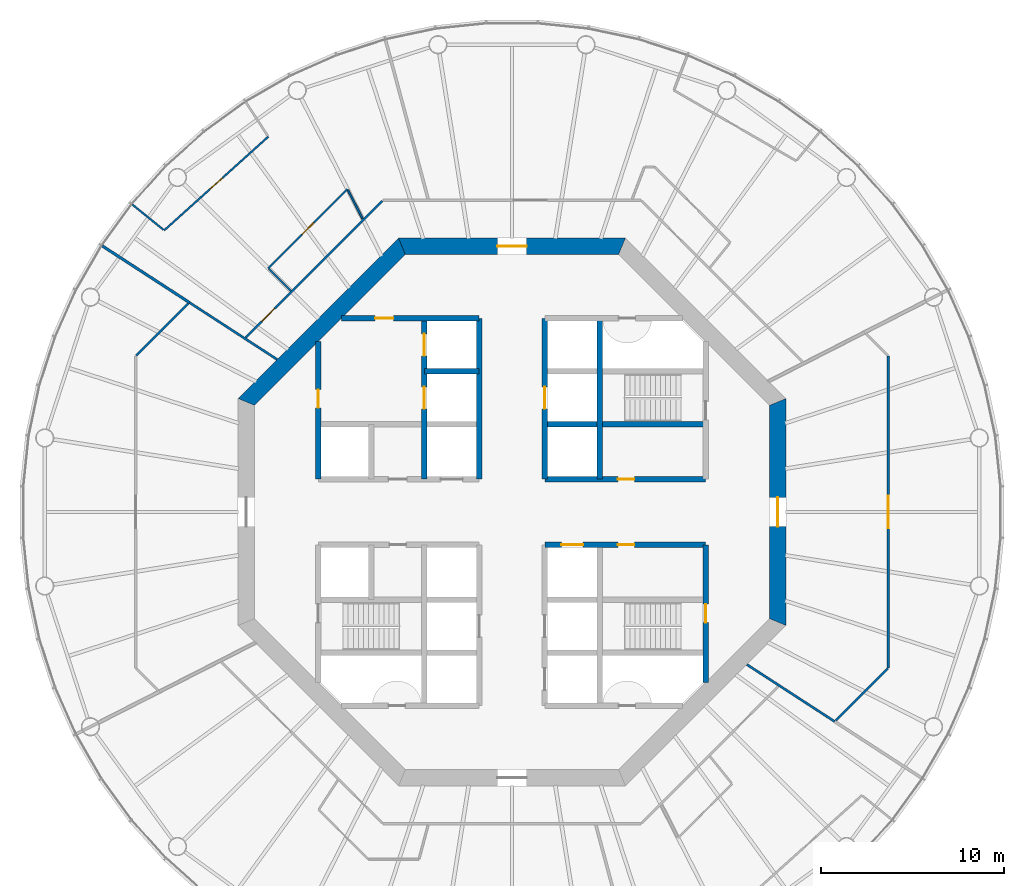
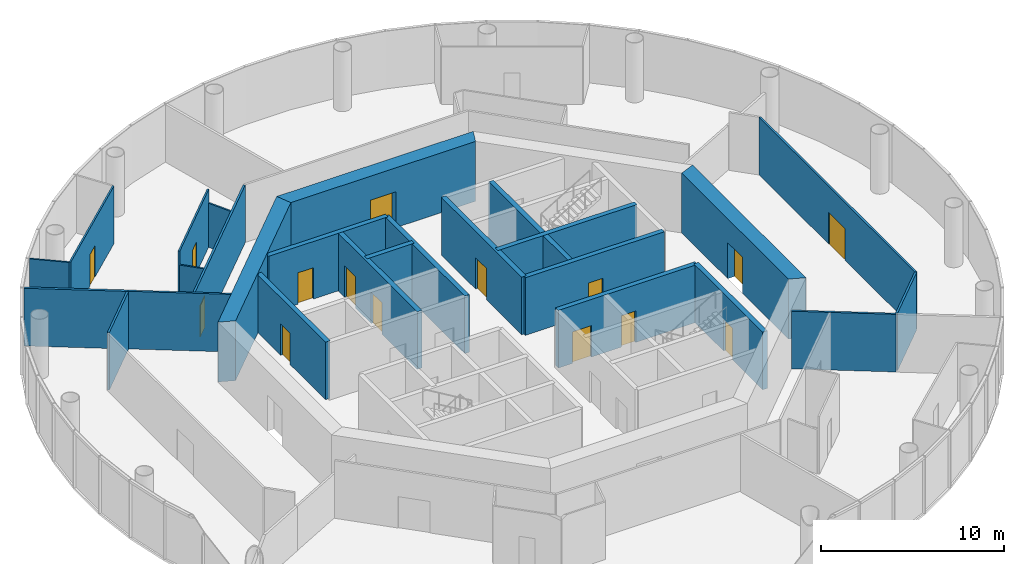
# One storey, part 4 of 12: 26 walls, 15 doors, 15 openings.
"""IFC4 building model written with IfcOpenShell, lengths in metres."""

from ifc_helpers import new_model, si_unit, direction, frame, frame_2d, origin, place, context, subcontext, project, spatial, polyline, rectangle, outline, extrude, material, layer, layer_set, type_object, element, fill, save


model = new_model("IFC4")

# Units and contexts
model_context = context("Model", 3, precision=1e-05, world=origin(), true_north=direction((0.0, 1.0)))
body_context = subcontext(model_context, "Body", "Model", "MODEL_VIEW")
ifc_project = project(units=[si_unit("LENGTHUNIT", "METRE"), si_unit("AREAUNIT", "SQUARE_METRE"), si_unit("VOLUMEUNIT", "CUBIC_METRE"), si_unit("PLANEANGLEUNIT", "RADIAN"), si_unit("MASSUNIT", "GRAM", prefix="KILO")], contexts=[model_context])

# Site, building, storey
site_placement = place(None, origin())
site = spatial("IfcSite", under=ifc_project, at=site_placement, CompositionType="ELEMENT")
building_placement = place(site_placement, origin())
building = spatial("IfcBuilding", under=site, at=building_placement, Name="Entoto Ring Tower", CompositionType="ELEMENT")
storey_placement = place(building_placement, frame((0.0, 0.0, 222.0)))
storey = spatial("IfcBuildingStorey", under=building, at=storey_placement, Name="L51", CompositionType="ELEMENT", Elevation=222.0)

# Wall, opening, door
ifc_material_1 = material(Name="Concrete C40/50", Category="concrete")
ifc_layer_1 = layer(ifc_material_1, 0.300048828125)
ifc_layer_set_1 = layer_set([ifc_layer_1], Name="Concrete C40/50")
wall_type_1 = type_object("IfcWallType", Name="Core enclosure wall 300 mm reinforced concrete", PredefinedType="SOLIDWALL", material=ifc_layer_set_1)
wall_1_placement = place(storey_placement, frame((100.60009765625, 70.65966796875, 0.0), z_axis=(0.0, 0.0, 1.0), x_axis=(0.0, 1.0, 0.0)))
wall_1 = element("IfcWall", 1, at=wall_1_placement, inside=storey, type_object=wall_type_1, Name="wall-L51-001", PredefinedType="SOLIDWALL", context=body_context, shape_type="SweptSolid", body=[
    extrude(rectangle(XDim=7.540283203125, YDim=0.300048828125, at=frame_2d((3.77001953125, 0.0))), origin(), (0.0, 0.0, 1.0), 3.85009765625),
])
opening_1_placement = place(wall_1_placement, frame((3.290283203125, 0.0, 0.0)))
opening_1 = element("IfcOpeningElement", 2, at=opening_1_placement, cuts=wall_1, Name="Opening K-17", PredefinedType="OPENING", context=body_context, shape_type="SweptSolid", body=[
    extrude(rectangle(XDim=1.0, YDim=2.10009765625, at=frame_2d((0.5, 1.050048828125))), frame((0.0, 0.16015625, 0.0), z_axis=(0.0, -1.0, 0.0), x_axis=(1.0, 0.0, 0.0)), (0.0, 0.0, 1.0), 0.320068359375),
])
ifc_material_2 = material(Name="Steel door leaf, fire rated", Category="steel")
ifc_layer_2 = layer(ifc_material_2, 0.050048828125)
ifc_layer_set_2 = layer_set([ifc_layer_2], Name="Steel door leaf, fire rated")
door_type_1 = type_object("IfcDoorType", Name="Fire door FD60 1000 x 2100 single leaf", OperationType="NOTDEFINED", PredefinedType="DOOR", material=ifc_layer_set_2)
door_1_placement = place(opening_1_placement, origin())
door_1 = element("IfcDoor", 3, at=door_1_placement, inside=storey, type_object=door_type_1, Name="Door K-17", OperationType="SINGLE_SWING_RIGHT", OverallHeight=2.10009765625, OverallWidth=1.0, PredefinedType="DOOR", context=body_context, shape_type="SweptSolid", body=[
    extrude(rectangle(XDim=1.0, YDim=2.10009765625, at=frame_2d((0.5, 1.050048828125))), frame((0.0, 0.02490234375, 0.0), z_axis=(0.0, -1.0, 0.0), x_axis=(1.0, 0.0, 0.0)), (0.0, 0.0, 1.0), 0.050048828125),
])
fill(opening_1, door_1)

# Wall
wall_2_placement = place(storey_placement, frame((94.800048828125, 81.800048828125, 0.0), z_axis=(0.0, 0.0, 1.0), x_axis=(0.0, 1.0, 0.0)))
element("IfcWall", 4, at=wall_2_placement, inside=storey, type_object=wall_type_1, Name="wall-L51-004", PredefinedType="SOLIDWALL", context=body_context, shape_type="SweptSolid", body=[
    extrude(rectangle(XDim=8.800048828125, YDim=0.300048828125, at=frame_2d((4.39990234375, 0.0))), origin(), (0.0, 0.0, 1.0), 3.85009765625),
])

# Wall, opening, door
wall_3_placement = place(storey_placement, frame((91.800048828125, 81.800048828125, 0.0), z_axis=(0.0, 0.0, 1.0), x_axis=(0.0, 1.0, 0.0)))
wall_3 = element("IfcWall", 5, at=wall_3_placement, inside=storey, type_object=wall_type_1, Name="wall-L51-006", PredefinedType="SOLIDWALL", context=body_context, shape_type="SweptSolid", body=[
    extrude(rectangle(XDim=8.800048828125, YDim=0.300048828125, at=frame_2d((4.39990234375, 0.0))), origin(), (0.0, 0.0, 1.0), 3.85009765625),
])
opening_2_placement = place(wall_3_placement, frame((3.85009765625, 0.0, 0.0)))
opening_2 = element("IfcOpeningElement", 6, at=opening_2_placement, cuts=wall_3, Name="Opening LD", PredefinedType="OPENING", context=body_context, shape_type="SweptSolid", body=[
    extrude(rectangle(XDim=1.199951171875, YDim=2.10009765625, at=frame_2d((0.60009765625, 1.050048828125))), frame((0.0, 0.16015625, 0.0), z_axis=(0.0, -1.0, 0.0), x_axis=(1.0, 0.0, 0.0)), (0.0, 0.0, 1.0), 0.320068359375),
])
ifc_material_3 = material(Name="Steel and glass door leaf", Category="steel")
ifc_layer_3 = layer(ifc_material_3, 0.050048828125)
ifc_layer_set_3 = layer_set([ifc_layer_3], Name="Steel and glass door leaf")
door_type_2 = type_object("IfcDoorType", Name="Landing door 1200 x 2100 sliding", OperationType="DOUBLE_DOOR_SLIDING", PredefinedType="DOOR", material=ifc_layer_set_3)
door_2_placement = place(opening_2_placement, origin())
door_2 = element("IfcDoor", 7, at=door_2_placement, inside=storey, type_object=door_type_2, Name="Landing door LB1-MR", OperationType="SLIDING_TO_RIGHT", OverallHeight=2.10009765625, OverallWidth=1.199951171875, PredefinedType="DOOR", context=body_context, shape_type="SweptSolid", body=[
    extrude(rectangle(XDim=1.199951171875, YDim=2.10009765625, at=frame_2d((0.60009765625, 1.050048828125))), frame((0.0, 0.02490234375, 0.0), z_axis=(0.0, -1.0, 0.0), x_axis=(1.0, 0.0, 0.0)), (0.0, 0.0, 1.0), 0.050048828125),
])
fill(opening_2, door_2)

# Wall
wall_4_placement = place(storey_placement, frame((88.199951171875, 81.800048828125, 0.0), z_axis=(0.0, 0.0, 1.0), x_axis=(0.0, 1.0, 0.0)))
element("IfcWall", 8, at=wall_4_placement, inside=storey, type_object=wall_type_1, Name="wall-L51-008", PredefinedType="SOLIDWALL", context=body_context, shape_type="SweptSolid", body=[
    extrude(rectangle(XDim=8.800048828125, YDim=0.300048828125, at=frame_2d((4.39990234375, 0.0))), origin(), (0.0, 0.0, 1.0), 3.85009765625),
])

# Wall, openings, doors
wall_5_placement = place(storey_placement, frame((85.199951171875, 81.800048828125, 0.0), z_axis=(0.0, 0.0, 1.0), x_axis=(0.0, 1.0, 0.0)))
wall_5 = element("IfcWall", 9, at=wall_5_placement, inside=storey, type_object=wall_type_1, Name="wall-L51-010", PredefinedType="SOLIDWALL", context=body_context, shape_type="SweptSolid", body=[
    extrude(rectangle(XDim=8.800048828125, YDim=0.300048828125, at=frame_2d((4.39990234375, 0.0))), origin(), (0.0, 0.0, 1.0), 3.85009765625),
])
opening_3_placement = place(wall_5_placement, frame((3.85009765625, 0.0, 0.0)))
opening_3 = element("IfcOpeningElement", 10, at=opening_3_placement, cuts=wall_5, Name="Opening LD", PredefinedType="OPENING", context=body_context, shape_type="SweptSolid", body=[
    extrude(rectangle(XDim=1.199951171875, YDim=2.10009765625, at=frame_2d((0.60009765625, 1.050048828125))), frame((0.0, 0.16015625, 0.0), z_axis=(0.0, -1.0, 0.0), x_axis=(1.0, 0.0, 0.0)), (0.0, 0.0, 1.0), 0.320068359375),
])
opening_4_placement = place(wall_5_placement, frame((6.75, 0.0, 0.0)))
opening_4 = element("IfcOpeningElement", 11, at=opening_4_placement, cuts=wall_5, Name="Opening LD", PredefinedType="OPENING", context=body_context, shape_type="SweptSolid", body=[
    extrude(rectangle(XDim=1.199951171875, YDim=2.10009765625, at=frame_2d((0.60009765625, 1.050048828125))), frame((0.0, 0.16015625, 0.0), z_axis=(0.0, -1.0, 0.0), x_axis=(1.0, 0.0, 0.0)), (0.0, 0.0, 1.0), 0.320068359375),
])
door_3_placement = place(opening_3_placement, origin())
door_3 = element("IfcDoor", 12, at=door_3_placement, inside=storey, type_object=door_type_2, Name="Landing door FF1", OperationType="SLIDING_TO_RIGHT", OverallHeight=2.10009765625, OverallWidth=1.199951171875, PredefinedType="DOOR", context=body_context, shape_type="SweptSolid", body=[
    extrude(rectangle(XDim=1.199951171875, YDim=2.10009765625, at=frame_2d((0.60009765625, 1.050048828125))), frame((0.0, 0.02490234375, 0.0), z_axis=(0.0, -1.0, 0.0), x_axis=(1.0, 0.0, 0.0)), (0.0, 0.0, 1.0), 0.050048828125),
])
fill(opening_3, door_3)
door_4_placement = place(opening_4_placement, origin())
door_4 = element("IfcDoor", 13, at=door_4_placement, inside=storey, type_object=door_type_2, Name="Landing door FF2", OperationType="SLIDING_TO_RIGHT", OverallHeight=2.10009765625, OverallWidth=1.199951171875, PredefinedType="DOOR", context=body_context, shape_type="SweptSolid", body=[
    extrude(rectangle(XDim=1.199951171875, YDim=2.10009765625, at=frame_2d((0.60009765625, 1.050048828125))), frame((0.0, 0.02490234375, 0.0), z_axis=(0.0, -1.0, 0.0), x_axis=(1.0, 0.0, 0.0)), (0.0, 0.0, 1.0), 0.050048828125),
])
fill(opening_4, door_4)

# Wall, opening, door
wall_6_placement = place(storey_placement, frame((79.39990234375, 81.800048828125, 0.0), z_axis=(0.0, 0.0, 1.0), x_axis=(0.0, 1.0, 0.0)))
wall_6 = element("IfcWall", 14, at=wall_6_placement, inside=storey, type_object=wall_type_1, Name="wall-L51-014", PredefinedType="SOLIDWALL", context=body_context, shape_type="SweptSolid", body=[
    extrude(rectangle(XDim=7.540283203125, YDim=0.300048828125, at=frame_2d((3.77001953125, 0.0))), origin(), (0.0, 0.0, 1.0), 3.85009765625),
])
opening_5_placement = place(wall_6_placement, frame((3.89990234375, 0.0, 0.0)))
opening_5 = element("IfcOpeningElement", 15, at=opening_5_placement, cuts=wall_6, Name="Opening K-67", PredefinedType="OPENING", context=body_context, shape_type="SweptSolid", body=[
    extrude(rectangle(XDim=1.0, YDim=2.10009765625, at=frame_2d((0.5, 1.050048828125))), frame((0.0, 0.16015625, 0.0), z_axis=(0.0, -1.0, 0.0), x_axis=(1.0, 0.0, 0.0)), (0.0, 0.0, 1.0), 0.320068359375),
])
door_5_placement = place(opening_5_placement, frame((1.0, 0.0, 0.0), z_axis=(0.0, 0.0, 1.0), x_axis=(-1.0, 0.0, 0.0)))
door_5 = element("IfcDoor", 16, at=door_5_placement, inside=storey, type_object=door_type_1, Name="Door K-67", OperationType="SINGLE_SWING_RIGHT", OverallHeight=2.10009765625, OverallWidth=1.0, PredefinedType="DOOR", context=body_context, shape_type="SweptSolid", body=[
    extrude(rectangle(XDim=1.0, YDim=2.10009765625, at=frame_2d((0.5, 1.050048828125))), frame((0.0, 0.02490234375, 0.0), z_axis=(0.0, -1.0, 0.0), x_axis=(1.0, 0.0, 0.0)), (0.0, 0.0, 1.0), 0.050048828125),
])
fill(opening_5, door_5)

# Wall, openings, doors
wall_7_placement = place(storey_placement, frame((91.800048828125, 78.199951171875, 0.0), z_axis=(0.0, 0.0, 1.0), x_axis=(1.0, 0.0, 0.0)))
wall_7 = element("IfcWall", 17, at=wall_7_placement, inside=storey, type_object=wall_type_1, Name="wall-L51-022", PredefinedType="SOLIDWALL", context=body_context, shape_type="SweptSolid", body=[
    extrude(rectangle(XDim=8.800048828125, YDim=0.300048828125, at=frame_2d((4.39990234375, 0.0))), origin(), (0.0, 0.0, 1.0), 3.85009765625),
])
opening_6_placement = place(wall_7_placement, frame((0.89990234375, 0.0, 0.0)))
opening_6 = element("IfcOpeningElement", 18, at=opening_6_placement, cuts=wall_7, Name="Opening LD", PredefinedType="OPENING", context=body_context, shape_type="SweptSolid", body=[
    extrude(rectangle(XDim=1.199951171875, YDim=2.10009765625, at=frame_2d((0.60009765625, 1.050048828125))), frame((0.0, 0.16015625, 0.0), z_axis=(0.0, -1.0, 0.0), x_axis=(1.0, 0.0, 0.0)), (0.0, 0.0, 1.0), 0.320068359375),
])
opening_7_placement = place(wall_7_placement, frame((4.0, 0.0, 0.0)))
opening_7 = element("IfcOpeningElement", 19, at=opening_7_placement, cuts=wall_7, Name="Opening K-12", PredefinedType="OPENING", context=body_context, shape_type="SweptSolid", body=[
    extrude(rectangle(XDim=0.89990234375, YDim=2.10009765625, at=frame_2d((0.449951171875, 1.050048828125))), frame((0.0, 0.16015625, 0.0), z_axis=(0.0, -1.0, 0.0), x_axis=(1.0, 0.0, 0.0)), (0.0, 0.0, 1.0), 0.320068359375),
])
ifc_material_4 = material(Name="Steel door leaf, fire rated", Category="steel")
ifc_layer_4 = layer(ifc_material_4, 0.050048828125)
ifc_layer_set_4 = layer_set([ifc_layer_4], Name="Steel door leaf, fire rated")
door_type_3 = type_object("IfcDoorType", Name="Core door 900 x 2100 single leaf", OperationType="NOTDEFINED", PredefinedType="DOOR", material=ifc_layer_set_4)
door_6_placement = place(opening_7_placement, frame((0.89990234375, 0.0, 0.0), z_axis=(0.0, 0.0, 1.0), x_axis=(-1.0, 0.0, 0.0)))
door_6 = element("IfcDoor", 20, at=door_6_placement, inside=storey, type_object=door_type_3, Name="Door K-12", OperationType="SINGLE_SWING_RIGHT", OverallHeight=2.10009765625, OverallWidth=0.89990234375, PredefinedType="DOOR", context=body_context, shape_type="SweptSolid", body=[
    extrude(rectangle(XDim=0.89990234375, YDim=2.10009765625, at=frame_2d((0.449951171875, 1.050048828125))), frame((0.0, 0.02490234375, 0.0), z_axis=(0.0, -1.0, 0.0), x_axis=(1.0, 0.0, 0.0)), (0.0, 0.0, 1.0), 0.050048828125),
])
fill(opening_7, door_6)
door_7_placement = place(opening_6_placement, origin())
door_7 = element("IfcDoor", 21, at=door_7_placement, inside=storey, type_object=door_type_2, Name="Landing door LB6-MR", OperationType="SLIDING_TO_LEFT", OverallHeight=2.10009765625, OverallWidth=1.199951171875, PredefinedType="DOOR", context=body_context, shape_type="SweptSolid", body=[
    extrude(rectangle(XDim=1.199951171875, YDim=2.10009765625, at=frame_2d((0.60009765625, 1.050048828125))), frame((0.0, 0.02490234375, 0.0), z_axis=(0.0, -1.0, 0.0), x_axis=(1.0, 0.0, 0.0)), (0.0, 0.0, 1.0), 0.050048828125),
])
fill(opening_6, door_7)

# Wall, opening, door
wall_8_placement = place(storey_placement, frame((91.800048828125, 81.800048828125, 0.0), z_axis=(0.0, 0.0, 1.0), x_axis=(1.0, 0.0, 0.0)))
wall_8 = element("IfcWall", 22, at=wall_8_placement, inside=storey, type_object=wall_type_1, Name="wall-L51-024", PredefinedType="SOLIDWALL", context=body_context, shape_type="SweptSolid", body=[
    extrude(rectangle(XDim=8.800048828125, YDim=0.300048828125, at=frame_2d((4.39990234375, 0.0))), origin(), (0.0, 0.0, 1.0), 3.85009765625),
])
opening_8_placement = place(wall_8_placement, frame((4.0, 0.0, 0.0)))
opening_8 = element("IfcOpeningElement", 23, at=opening_8_placement, cuts=wall_8, Name="Opening K-11", PredefinedType="OPENING", context=body_context, shape_type="SweptSolid", body=[
    extrude(rectangle(XDim=0.89990234375, YDim=2.10009765625, at=frame_2d((0.449951171875, 1.050048828125))), frame((0.0, 0.16015625, 0.0), z_axis=(0.0, -1.0, 0.0), x_axis=(1.0, 0.0, 0.0)), (0.0, 0.0, 1.0), 0.320068359375),
])
door_8_placement = place(opening_8_placement, origin())
door_8 = element("IfcDoor", 24, at=door_8_placement, inside=storey, type_object=door_type_3, Name="Door K-11", OperationType="SINGLE_SWING_LEFT", OverallHeight=2.10009765625, OverallWidth=0.89990234375, PredefinedType="DOOR", context=body_context, shape_type="SweptSolid", body=[
    extrude(rectangle(XDim=0.89990234375, YDim=2.10009765625, at=frame_2d((0.449951171875, 1.050048828125))), frame((0.0, 0.02490234375, 0.0), z_axis=(0.0, -1.0, 0.0), x_axis=(1.0, 0.0, 0.0)), (0.0, 0.0, 1.0), 0.050048828125),
])
fill(opening_8, door_8)

# Walls
wall_9_placement = place(storey_placement, frame((91.800048828125, 84.800048828125, 0.0), z_axis=(0.0, 0.0, 1.0), x_axis=(1.0, 0.0, 0.0)))
element("IfcWall", 25, at=wall_9_placement, inside=storey, type_object=wall_type_1, Name="wall-L51-026", PredefinedType="SOLIDWALL", context=body_context, shape_type="SweptSolid", body=[
    extrude(rectangle(XDim=8.800048828125, YDim=0.300048828125, at=frame_2d((4.39990234375, 0.0))), origin(), (0.0, 0.0, 1.0), 3.85009765625),
])
wall_10_placement = place(storey_placement, frame((85.199951171875, 87.699951171875, 0.0), z_axis=(0.0, 0.0, 1.0), x_axis=(1.0, 0.0, 0.0)))
element("IfcWall", 26, at=wall_10_placement, inside=storey, type_object=wall_type_1, Name="wall-L51-027", PredefinedType="SOLIDWALL", context=body_context, shape_type="SweptSolid", body=[
    extrude(rectangle(XDim=3.0, YDim=0.300048828125, at=frame_2d((1.5, 0.0))), origin(), (0.0, 0.0, 1.0), 3.85009765625),
])

# Wall, opening, door
wall_11_placement = place(storey_placement, frame((80.65966796875, 90.60009765625, 0.0), z_axis=(0.0, 0.0, 1.0), x_axis=(1.0, 0.0, 0.0)))
wall_11 = element("IfcWall", 27, at=wall_11_placement, inside=storey, type_object=wall_type_1, Name="wall-L51-029", PredefinedType="SOLIDWALL", context=body_context, shape_type="SweptSolid", body=[
    extrude(rectangle(XDim=7.540283203125, YDim=0.300048828125, at=frame_2d((3.77001953125, 0.0))), origin(), (0.0, 0.0, 1.0), 3.85009765625),
])
opening_9_placement = place(wall_11_placement, frame((1.84033203125, 0.0, 0.0)))
opening_9 = element("IfcOpeningElement", 28, at=opening_9_placement, cuts=wall_11, Name="Opening K-22", PredefinedType="OPENING", context=body_context, shape_type="SweptSolid", body=[
    extrude(rectangle(XDim=1.0, YDim=2.10009765625, at=frame_2d((0.5, 1.050048828125))), frame((0.0, 0.16015625, 0.0), z_axis=(0.0, -1.0, 0.0), x_axis=(1.0, 0.0, 0.0)), (0.0, 0.0, 1.0), 0.320068359375),
])
door_9_placement = place(opening_9_placement, frame((1.0, 0.0, 0.0), z_axis=(0.0, 0.0, 1.0), x_axis=(-1.0, 0.0, 0.0)))
door_9 = element("IfcDoor", 29, at=door_9_placement, inside=storey, type_object=door_type_1, Name="Door K-22", OperationType="SINGLE_SWING_LEFT", OverallHeight=2.10009765625, OverallWidth=1.0, PredefinedType="DOOR", context=body_context, shape_type="SweptSolid", body=[
    extrude(rectangle(XDim=1.0, YDim=2.10009765625, at=frame_2d((0.5, 1.050048828125))), frame((0.0, 0.02490234375, 0.0), z_axis=(0.0, -1.0, 0.0), x_axis=(1.0, 0.0, 0.0)), (0.0, 0.0, 1.0), 0.050048828125),
])
fill(opening_9, door_9)

ifc_material_5 = material(Name="Concrete C50/60", Category="concrete")
ifc_layer_5 = layer(ifc_material_5, 0.89990234375)
ifc_layer_set_5 = layer_set([ifc_layer_5], Name="Concrete C50/60")
wall_type_2 = type_object("IfcWallType", Name="Core shear wall 900 mm reinforced concrete C50/60", PredefinedType="SHEAR", material=ifc_layer_set_5)
wall_12_placement = place(storey_placement, frame((104.550048828125, 73.97314453125, 0.0), z_axis=(0.0, 0.0, 1.0), x_axis=(0.0, 1.0, 0.0)))
wall_12 = element("IfcWall", 30, at=wall_12_placement, inside=storey, type_object=wall_type_2, Name="wall-L51-core-0", PredefinedType="SHEAR", context=body_context, shape_type="SweptSolid", body=[
    extrude(outline(polyline([(-0.186279296875, -0.449951171875), (12.239990234375, -0.449951171875), (11.867431640625, 0.449951171875), (0.186279296875, 0.449951171875), (-0.186279296875, -0.449951171875)])), origin(), (0.0, 0.0, 1.0), 4.0),
])
opening_10_placement = place(wall_12_placement, frame((5.226806640625, 0.0, 0.0)))
opening_10 = element("IfcOpeningElement", 31, at=opening_10_placement, cuts=wall_12, Name="Opening K-01", PredefinedType="OPENING", context=body_context, shape_type="SweptSolid", body=[
    extrude(rectangle(XDim=1.60009765625, YDim=2.39990234375, at=frame_2d((0.800048828125, 1.199951171875))), frame((0.0, 0.4599609375, 0.0), z_axis=(0.0, -1.0, 0.0), x_axis=(1.0, 0.0, 0.0)), (0.0, 0.0, 1.0), 0.919921875),
])
ifc_material_6 = material(Name="Steel door leaf, fire rated", Category="steel")
ifc_layer_6 = layer(ifc_material_6, 0.050048828125)
ifc_layer_set_6 = layer_set([ifc_layer_6], Name="Steel door leaf, fire rated")
door_type_4 = type_object("IfcDoorType", Name="Entrance door FD60 1600 x 2400 double leaf", OperationType="DOUBLE_DOOR_SINGLE_SWING", PredefinedType="DOOR", material=ifc_layer_set_6)
door_10_placement = place(opening_10_placement, origin())
door_10 = element("IfcDoor", 32, at=door_10_placement, inside=storey, type_object=door_type_4, Name="Entrance door K-01", OperationType="DOUBLE_DOOR_SINGLE_SWING", OverallHeight=2.39990234375, OverallWidth=1.60009765625, PredefinedType="DOOR", context=body_context, shape_type="SweptSolid", body=[
    extrude(rectangle(XDim=1.60009765625, YDim=2.39990234375, at=frame_2d((0.800048828125, 1.199951171875))), frame((0.0, 0.02490234375, 0.0), z_axis=(0.0, -1.0, 0.0), x_axis=(1.0, 0.0, 0.0)), (0.0, 0.0, 1.0), 0.050048828125),
])
fill(opening_10, door_10)

wall_13_placement = place(storey_placement, frame((96.02685546875, 94.550048828125, 0.0), z_axis=(0.0, 0.0, 1.0), x_axis=(-1.0, 0.0, 0.0)))
wall_13 = element("IfcWall", 33, at=wall_13_placement, inside=storey, type_object=wall_type_2, Name="wall-L51-core-2", PredefinedType="SHEAR", context=body_context, shape_type="SweptSolid", body=[
    extrude(outline(polyline([(-0.186279296875, -0.449951171875), (12.239990234375, -0.449951171875), (11.867431640625, 0.449951171875), (0.186279296875, 0.449951171875), (-0.186279296875, -0.449951171875)])), origin(), (0.0, 0.0, 1.0), 4.0),
])
opening_11_placement = place(wall_13_placement, frame((5.226806640625, 0.0, 0.0)))
opening_11 = element("IfcOpeningElement", 34, at=opening_11_placement, cuts=wall_13, Name="Opening K-02", PredefinedType="OPENING", context=body_context, shape_type="SweptSolid", body=[
    extrude(rectangle(XDim=1.60009765625, YDim=2.39990234375, at=frame_2d((0.800048828125, 1.199951171875))), frame((0.0, 0.4599609375, 0.0), z_axis=(0.0, -1.0, 0.0), x_axis=(1.0, 0.0, 0.0)), (0.0, 0.0, 1.0), 0.919921875),
])
door_11_placement = place(opening_11_placement, origin())
door_11 = element("IfcDoor", 35, at=door_11_placement, inside=storey, type_object=door_type_4, Name="Entrance door K-02", OperationType="DOUBLE_DOOR_SINGLE_SWING", OverallHeight=2.39990234375, OverallWidth=1.60009765625, PredefinedType="DOOR", context=body_context, shape_type="SweptSolid", body=[
    extrude(rectangle(XDim=1.60009765625, YDim=2.39990234375, at=frame_2d((0.800048828125, 1.199951171875))), frame((0.0, 0.02490234375, 0.0), z_axis=(0.0, -1.0, 0.0), x_axis=(1.0, 0.0, 0.0)), (0.0, 0.0, 1.0), 0.050048828125),
])
fill(opening_11, door_11)

# Wall
wall_14_placement = place(storey_placement, frame((83.97314453125, 94.550048828125, 0.0), z_axis=(0.0, 0.0, 1.0), x_axis=(-0.707106781187, -0.707106781187, 0.0)))
element("IfcWall", 36, at=wall_14_placement, inside=storey, type_object=wall_type_2, Name="wall-L51-core-3", PredefinedType="SHEAR", context=body_context, shape_type="SweptSolid", body=[
    extrude(outline(polyline([(-0.186279296875, -0.449951171875), (12.239990234375, -0.449951171875), (11.867431640625, 0.449951171875), (0.186279296875, 0.449951171875), (-0.186279296875, -0.449951171875)])), origin(), (0.0, 0.0, 1.0), 4.0),
])

# Wall, opening, door
ifc_material_7 = material(Name="Fire-resisting plasterboard on steel studs", Category="steel")
ifc_layer_7 = layer(ifc_material_7, 0.125)
ifc_layer_set_7 = layer_set([ifc_layer_7], Name="Fire-resisting plasterboard on steel studs")
wall_type_3 = type_object("IfcWallType", Name="Corridor wall 125 mm one-hour plasterboard on steel studs", PredefinedType="PARTITIONING", material=ifc_layer_set_7)
wall_15_placement = place(storey_placement, frame((110.60009765625, 71.46728515625, 0.0), z_axis=(0.0, 0.0, 1.0), x_axis=(0.0, 1.0, 0.0)))
wall_15 = element("IfcWall", 37, at=wall_15_placement, inside=storey, type_object=wall_type_3, Name="partition-L51-002", PredefinedType="PARTITIONING", context=body_context, shape_type="SweptSolid", body=[
    extrude(rectangle(XDim=17.0654296875, YDim=0.125, at=frame_2d((8.53271484375, 0.0))), origin(), (0.0, 0.0, 1.0), 3.85009765625),
])
opening_12_placement = place(wall_15_placement, frame((7.6328125, 0.0, 0.0)))
opening_12 = element("IfcOpeningElement", 38, at=opening_12_placement, cuts=wall_15, Name="Opening A22-D01", PredefinedType="OPENING", context=body_context, shape_type="SweptSolid", body=[
    extrude(rectangle(XDim=1.800048828125, YDim=2.10009765625, at=frame_2d((0.89990234375, 1.050048828125))), frame((0.0, 0.072509765625, 0.0), z_axis=(0.0, -1.0, 0.0), x_axis=(1.0, 0.0, 0.0)), (0.0, 0.0, 1.0), 0.14501953125),
])
ifc_material_8 = material(Name="Fire-resisting timber door set", Category="wood")
door_type_5 = type_object("IfcDoorType", Name="Door 1800 x 2100 double leaf FD30S fire door", OperationType="DOUBLE_DOOR_SINGLE_SWING", PredefinedType="DOOR", material=ifc_material_8)
door_12_placement = place(opening_12_placement, frame((1.800048828125, 0.0, 0.0), z_axis=(0.0, 0.0, 1.0), x_axis=(-1.0, 0.0, 0.0)))
door_12 = element("IfcDoor", 39, at=door_12_placement, inside=storey, type_object=door_type_5, Name="Door A22-D01", OperationType="DOUBLE_DOOR_SINGLE_SWING", OverallHeight=2.10009765625, OverallWidth=1.800048828125, PredefinedType="DOOR", context=body_context, shape_type="SweptSolid", body=[
    extrude(rectangle(XDim=1.800048828125, YDim=2.10009765625, at=frame_2d((0.89990234375, 1.050048828125))), frame((0.0, 0.02490234375, 0.0), z_axis=(0.0, -1.0, 0.0), x_axis=(1.0, 0.0, 0.0)), (0.0, 0.0, 1.0), 0.050048828125),
])
fill(opening_12, door_12)

wall_16_placement = place(storey_placement, frame((75.425048828125, 89.554931640625, 0.0), z_axis=(0.0, 0.0, 1.0), x_axis=(0.707095235926, 0.707118326258, 0.0)))
wall_16 = element("IfcWall", 40, at=wall_16_placement, inside=storey, type_object=wall_type_3, Name="partition-L51-007", PredefinedType="PARTITIONING", context=body_context, shape_type="SweptSolid", body=[
    extrude(rectangle(XDim=10.5732421875, YDim=0.125, at=frame_2d((5.28662109375, 0.0))), origin(), (0.0, 0.0, 1.0), 3.85009765625),
])
opening_13_placement = place(wall_16_placement, frame((1.236328125, 0.0, 0.0)))
opening_13 = element("IfcOpeningElement", 41, at=opening_13_placement, cuts=wall_16, Name="Opening A22-D07", PredefinedType="OPENING", context=body_context, shape_type="SweptSolid", body=[
    extrude(rectangle(XDim=1.0, YDim=2.10009765625, at=frame_2d((0.5, 1.050048828125))), frame((0.0, 0.072509765625, 0.0), z_axis=(0.0, -1.0, 0.0), x_axis=(1.0, 0.0, 0.0)), (0.0, 0.0, 1.0), 0.14501953125),
])
ifc_material_9 = material(Name="Fire-resisting timber door set", Category="wood")
door_type_6 = type_object("IfcDoorType", Name="Door 1000 x 2100 single leaf FD30S fire door", OperationType="NOTDEFINED", PredefinedType="DOOR", material=ifc_material_9)
door_13_placement = place(opening_13_placement, origin())
door_13 = element("IfcDoor", 42, at=door_13_placement, inside=storey, type_object=door_type_6, Name="Door A22-D07", OperationType="SINGLE_SWING_RIGHT", OverallHeight=2.10009765625, OverallWidth=1.0, PredefinedType="DOOR", context=body_context, shape_type="SweptSolid", body=[
    extrude(rectangle(XDim=1.0, YDim=2.10009765625, at=frame_2d((0.5, 1.050048828125))), frame((0.0, 0.02490234375, 0.0), z_axis=(0.0, -1.0, 0.0), x_axis=(1.0, 0.0, 0.0)), (0.0, 0.0, 1.0), 0.050048828125),
])
fill(opening_13, door_13)

# Walls
for number, where, z_axis, x_axis, name in (
    (43, (107.66259765625, 68.52978515625, 0.0), (0.0, 0.0, 1.0), (-0.838668603263, 0.544642060349, 0.0), "partition-L51-011"),
    (44, (77.138916015625, 88.35205078125, 0.0), (0.0, 0.0, 1.0), (-0.838668603263, 0.544642060349, 0.0), "partition-L51-012"),
):
    element("IfcWall", number, at=place(storey_placement, frame(where, z_axis=z_axis, x_axis=x_axis)), inside=storey, type_object=wall_type_3, Name=name, PredefinedType="PARTITIONING", context=body_context, shape_type="SweptSolid", body=[
        extrude(rectangle(XDim=5.72509765625, YDim=0.125, at=frame_2d((2.862548828125, 0.0))), origin(), (0.0, 0.0, 1.0), 3.85009765625),
    ])
for number, where, z_axis, x_axis, name in (
    (45, (69.43115234375, 88.56396484375, 0.0), (0.0, 0.0, 1.0), (0.707106781187, 0.707106781187, 0.0), "partition-L51-013"),
    (46, (107.72607421875, 68.59326171875, 0.0), (0.0, 0.0, 1.0), (0.707106781187, 0.707106781187, 0.0), "partition-L51-014"),
):
    element("IfcWall", number, at=place(storey_placement, frame(where, z_axis=z_axis, x_axis=x_axis)), inside=storey, type_object=wall_type_3, Name=name, PredefinedType="PARTITIONING", context=body_context, shape_type="SweptSolid", body=[
        extrude(rectangle(XDim=4.020263671875, YDim=0.125, at=frame_2d((2.01025390625, 0.0))), origin(), (0.0, 0.0, 1.0), 3.85009765625),
    ])

# Wall, opening, door
ifc_material_10 = material(Name="Plasterboard on steel studs", Category="steel")
ifc_layer_8 = layer(ifc_material_10, 0.10009765625)
ifc_layer_set_8 = layer_set([ifc_layer_8], Name="Plasterboard on steel studs")
wall_type_4 = type_object("IfcWallType", Name="Partition 100 mm plasterboard on steel studs", PredefinedType="PARTITIONING", material=ifc_layer_set_8)
wall_17_placement = place(storey_placement, frame((70.9599609375, 95.41845703125, 0.0), z_axis=(0.0, 0.0, 1.0), x_axis=(0.743148423314, 0.669126610534, 0.0)))
wall_17 = element("IfcWall", 47, at=wall_17_placement, inside=storey, type_object=wall_type_4, Name="partition-L51-026", PredefinedType="PARTITIONING", context=body_context, shape_type="SweptSolid", body=[
    extrude(rectangle(XDim=7.6650390625, YDim=0.10009765625, at=frame_2d((3.83251953125, 0.0))), origin(), (0.0, 0.0, 1.0), 3.85009765625),
])
opening_14_placement = place(wall_17_placement, frame((3.382568359375, 0.0, 0.0)))
opening_14 = element("IfcOpeningElement", 48, at=opening_14_placement, cuts=wall_17, Name="Opening A22-D09", PredefinedType="OPENING", context=body_context, shape_type="SweptSolid", body=[
    extrude(rectangle(XDim=0.89990234375, YDim=2.10009765625, at=frame_2d((0.449951171875, 1.050048828125))), frame((0.0, 0.06005859375, 0.0), z_axis=(0.0, -1.0, 0.0), x_axis=(1.0, 0.0, 0.0)), (0.0, 0.0, 1.0), 0.1201171875),
])
ifc_material_11 = material(Name="Veneered timber door leaf in timber frame", Category="wood")
door_type_7 = type_object("IfcDoorType", Name="Door 900 x 2100 single leaf timber veneer", OperationType="NOTDEFINED", PredefinedType="DOOR", material=ifc_material_11)
door_14_placement = place(opening_14_placement, origin())
door_14 = element("IfcDoor", 49, at=door_14_placement, inside=storey, type_object=door_type_7, Name="Door A22-D09", OperationType="SINGLE_SWING_LEFT", OverallHeight=2.10009765625, OverallWidth=0.89990234375, PredefinedType="DOOR", context=body_context, shape_type="SweptSolid", body=[
    extrude(rectangle(XDim=0.89990234375, YDim=2.10009765625, at=frame_2d((0.449951171875, 1.050048828125))), frame((0.0, 0.02490234375, 0.0), z_axis=(0.0, -1.0, 0.0), x_axis=(1.0, 0.0, 0.0)), (0.0, 0.0, 1.0), 0.050048828125),
])
fill(opening_14, door_14)

wall_18_placement = place(storey_placement, frame((76.655029296875, 93.344970703125, 0.0), z_axis=(0.0, 0.0, 1.0), x_axis=(0.707126687631, 0.707086874181, 0.0)))
wall_18 = element("IfcWall", 50, at=wall_18_placement, inside=storey, type_object=wall_type_4, Name="partition-L51-027", PredefinedType="PARTITIONING", context=body_context, shape_type="SweptSolid", body=[
    extrude(rectangle(XDim=6.132080078125, YDim=0.10009765625, at=frame_2d((3.06591796875, 0.0))), origin(), (0.0, 0.0, 1.0), 3.85009765625),
])
opening_15_placement = place(wall_18_placement, frame((2.615966796875, 0.0, 0.0)))
opening_15 = element("IfcOpeningElement", 51, at=opening_15_placement, cuts=wall_18, Name="Opening A22-D08", PredefinedType="OPENING", context=body_context, shape_type="SweptSolid", body=[
    extrude(rectangle(XDim=0.89990234375, YDim=2.10009765625, at=frame_2d((0.449951171875, 1.050048828125))), frame((0.0, 0.06005859375, 0.0), z_axis=(0.0, -1.0, 0.0), x_axis=(1.0, 0.0, 0.0)), (0.0, 0.0, 1.0), 0.1201171875),
])
door_15_placement = place(opening_15_placement, frame((0.89990234375, 0.0, 0.0), z_axis=(0.0, 0.0, 1.0), x_axis=(-1.0, 0.0, 0.0)))
door_15 = element("IfcDoor", 52, at=door_15_placement, inside=storey, type_object=door_type_7, Name="Door A22-D08", OperationType="SINGLE_SWING_LEFT", OverallHeight=2.10009765625, OverallWidth=0.89990234375, PredefinedType="DOOR", context=body_context, shape_type="SweptSolid", body=[
    extrude(rectangle(XDim=0.89990234375, YDim=2.10009765625, at=frame_2d((0.449951171875, 1.050048828125))), frame((0.0, 0.02490234375, 0.0), z_axis=(0.0, -1.0, 0.0), x_axis=(1.0, 0.0, 0.0)), (0.0, 0.0, 1.0), 0.050048828125),
])
fill(opening_15, door_15)

# Walls
wall_19_placement = place(storey_placement, frame((70.921630859375, 95.449462890625, 0.0), z_axis=(0.0, 0.0, 1.0), x_axis=(-0.77722410775, 0.629223876162, 0.0)))
element("IfcWall", 53, at=wall_19_placement, inside=storey, type_object=wall_type_4, Name="partition-L51-033", PredefinedType="PARTITIONING", context=body_context, shape_type="SweptSolid", body=[
    extrude(rectangle(XDim=2.190673828125, YDim=0.10009765625, at=frame_2d((1.09521484375, 0.0))), origin(), (0.0, 0.0, 1.0), 3.85009765625),
])
ifc_material_12 = material(Name="Plasterboard on steel studs", Category="steel")
ifc_layer_9 = layer(ifc_material_12, 0.10009765625)
ifc_layer_set_9 = layer_set([ifc_layer_9], Name="Plasterboard on steel studs")
wall_type_5 = type_object("IfcWallType", Name="Partition 100 mm plasterboard on steel studs, 2950 mm high", PredefinedType="PARTITIONING", material=ifc_layer_set_9)
wall_20_placement = place(storey_placement, frame((81.818115234375, 96.05810546875, 0.0), z_axis=(0.0, 0.0, 1.0), x_axis=(-0.454109401768, 0.890945930585, 0.0)))
element("IfcWall", 54, at=wall_20_placement, inside=storey, type_object=wall_type_5, Name="partition-L51-045", PredefinedType="PARTITIONING", context=body_context, shape_type="SweptSolid", body=[
    extrude(rectangle(XDim=1.752685546875, YDim=0.10009765625, at=frame_2d((0.87646484375, 0.0))), origin(), (0.0, 0.0, 1.0), 2.949951171875),
])
wall_21_placement = place(storey_placement, frame((77.890625, 92.109375, 0.0), z_axis=(0.0, 0.0, 1.0), x_axis=(-0.707106781187, 0.707106781187, 0.0)))
element("IfcWall", 55, at=wall_21_placement, inside=storey, type_object=wall_type_5, Name="partition-L51-047", PredefinedType="PARTITIONING", context=body_context, shape_type="SweptSolid", body=[
    extrude(rectangle(XDim=1.697021484375, YDim=0.10009765625, at=frame_2d((0.8486328125, 0.0))), origin(), (0.0, 0.0, 1.0), 2.949951171875),
])
ifc_material_13 = material(Name="Fire-resisting acoustic plasterboard on steel studs", Category="steel")
ifc_layer_10 = layer(ifc_material_13, 0.14990234375)
ifc_layer_set_10 = layer_set([ifc_layer_10], Name="Fire-resisting acoustic plasterboard on steel studs")
wall_type_6 = type_object("IfcWallType", Name="Party wall 150 mm one-hour acoustic plasterboard on steel studs", PredefinedType="PARTITIONING", material=ifc_layer_set_10)
wall_22_placement = place(storey_placement, frame((72.33740234375, 91.47021484375, 0.0), z_axis=(0.0, 0.0, 1.0), x_axis=(-0.838662548381, 0.544651383862, 0.0)))
element("IfcWall", 56, at=wall_22_placement, inside=storey, type_object=wall_type_6, Name="partition-L51-020", PredefinedType="PARTITIONING", context=body_context, shape_type="SweptSolid", body=[
    extrude(rectangle(XDim=5.6796875, YDim=0.14990234375, at=frame_2d((2.83984375, 0.0))), origin(), (0.0, 0.0, 1.0), 3.85009765625),
])

save(model, "model.ifc")
